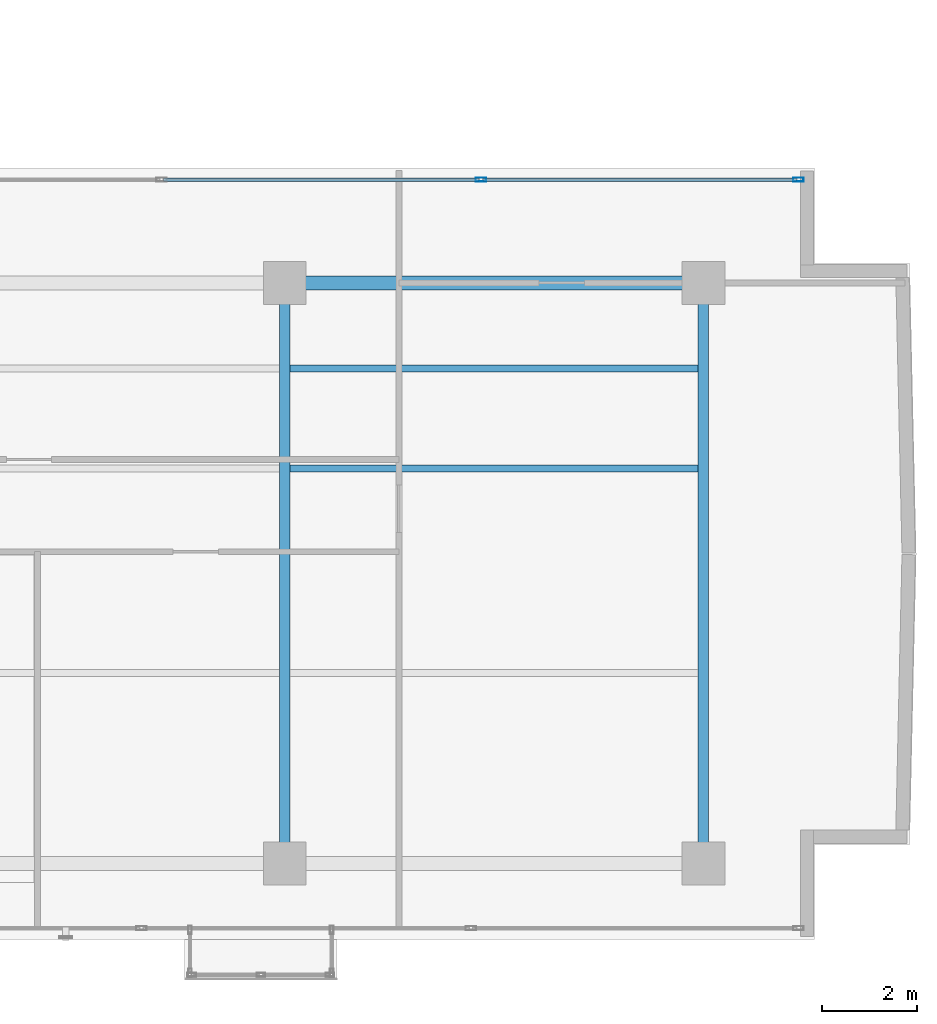
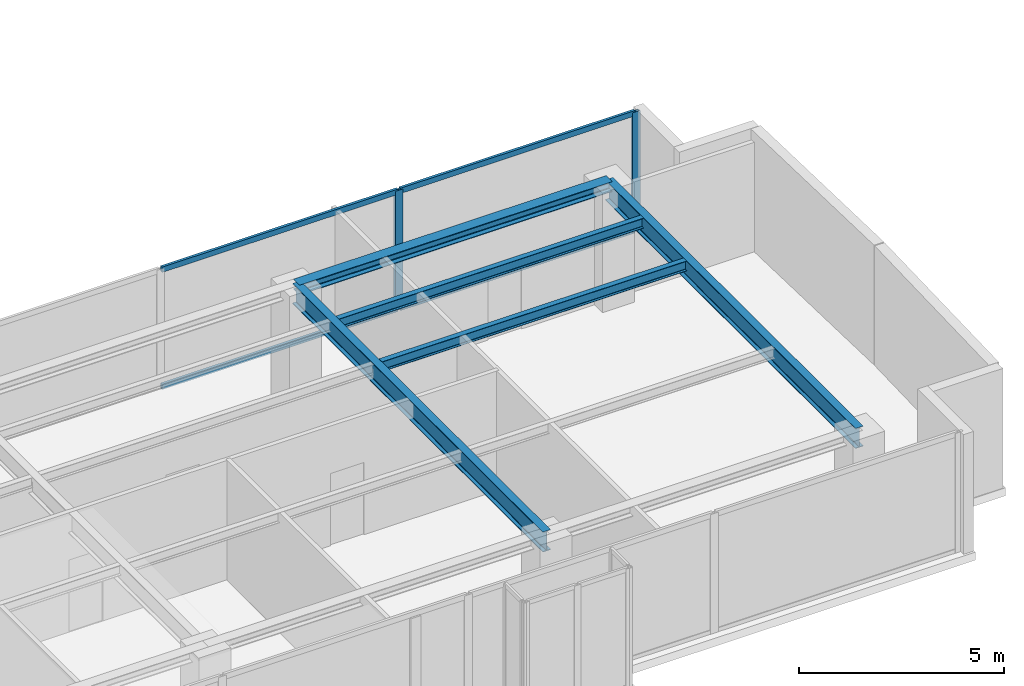
# One storey, part 12 of 24: 6 members, 5 beams, 1 element without a shape of its own.
"""IFC4 building model written with IfcOpenShell, lengths in metres."""

import ifcopenshell
import ifcopenshell.guid

model = None  # the IFC model being written
_history = None  # IfcOwnerHistory: only IFC2X3 demands one
_inside = {}  # id of a spatial element -> (the spatial element, [elements in it])
_under = {}  # id of a project, library or spatial element -> (it, [spatial elements below it])
_declared = {}  # id of a project -> (the project, [libraries it declares])
_typed = {}  # id of a type object -> (the type object, [elements of that type])
_made_of = {}  # id of a material, layer set ... -> (it, [elements and type objects made of it])


def new_model(schema):
    """Start an empty IFC model of exactly this schema.

    Asked for "IFC4X3", IfcOpenShell would pick the latest addendum, in which some entities
    have other attributes; the version numbers below select the first issue.
    IFC2X3 requires an IfcOwnerHistory on every rooted entity: one is made here for all.
    """
    global model, _history
    if schema == "IFC4X3":
        model = ifcopenshell.file(schema_version=(4, 3, 0, 0))
    else:
        model = ifcopenshell.file(schema=schema)
    _inside.clear()
    _under.clear()
    _declared.clear()
    _typed.clear()
    _made_of.clear()
    _history = None
    if model.schema == "IFC2X3":
        org = make("IfcOrganization", Name="unknown")
        user = make(
            "IfcPersonAndOrganization",
            ThePerson=make("IfcPerson", FamilyName="unknown"),
            TheOrganization=org,
        )
        app = make(
            "IfcApplication",
            ApplicationDeveloper=org,
            Version="unknown",
            ApplicationFullName="unknown",
            ApplicationIdentifier="unknown",
        )
        _history = make(
            "IfcOwnerHistory",
            OwningUser=user,
            OwningApplication=app,
            ChangeAction="ADDED",
            CreationDate=0,
        )
    return model


def make(cls, **values):
    """One entity of the class cls with the attributes given. An attribute that is None is left unset."""
    return model.create_entity(
        cls, **{name: value for name, value in values.items() if value is not None}
    )


def rooted(cls, **values):
    """An entity with a GlobalId (a new one), such as an element, a storey or a relation."""
    return make(cls, GlobalId=ifcopenshell.guid.new(), OwnerHistory=_history, **values)


def si_unit(unit_type, name, prefix=None):
    """IfcSIUnit, for example si_unit("LENGTHUNIT", "METRE", prefix="MILLI")."""
    return make("IfcSIUnit", UnitType=unit_type, Prefix=prefix, Name=name)


def assignment(units):
    """IfcUnitAssignment: the units of a project."""
    return None if units is None else make("IfcUnitAssignment", Units=units)


def point(xyz):
    """IfcCartesianPoint."""
    return None if xyz is None else make("IfcCartesianPoint", Coordinates=xyz)


def direction(xyz):
    """IfcDirection."""
    return None if xyz is None else make("IfcDirection", DirectionRatios=xyz)


def frame(location, z_axis=None, x_axis=None):
    """IfcAxis2Placement3D, a coordinate frame: its origin and axes. An axis left out is left unset."""
    return make(
        "IfcAxis2Placement3D",
        Location=point(location),
        Axis=direction(z_axis),
        RefDirection=direction(x_axis),
    )


def frame_2d(location, x_axis=None):
    """IfcAxis2Placement2D, a coordinate frame in the plane: its origin and x axis."""
    return make(
        "IfcAxis2Placement2D", Location=point(location), RefDirection=direction(x_axis)
    )


def origin():
    """The frame at (0, 0, 0) with its axes left unset."""
    return frame((0.0, 0.0, 0.0))


def origin_with_axes():
    """The frame at (0, 0, 0) with the z axis (0, 0, 1) and the x axis (1, 0, 0) written out."""
    return frame((0.0, 0.0, 0.0), z_axis=(0.0, 0.0, 1.0), x_axis=(1.0, 0.0, 0.0))


def origin_2d():
    """The frame at (0, 0) in the plane with its x axis left unset."""
    return frame_2d((0.0, 0.0))


def place(relative_to, where):
    """IfcLocalPlacement: puts the frame where relative to a parent placement (None: the world)."""
    return make(
        "IfcLocalPlacement", PlacementRelTo=relative_to, RelativePlacement=where
    )


def context(
    kind, dimensions, precision=None, world=None, true_north=None, identifier=None
):
    """IfcGeometricRepresentationContext, for example the 3D "Model" context."""
    return make(
        "IfcGeometricRepresentationContext",
        ContextIdentifier=identifier,
        ContextType=kind,
        CoordinateSpaceDimension=dimensions,
        Precision=precision,
        WorldCoordinateSystem=world,
        TrueNorth=true_north,
    )


def subcontext(parent, identifier, kind, view, scale=None):
    """IfcGeometricRepresentationSubContext, for example "Body" below "Model"."""
    return make(
        "IfcGeometricRepresentationSubContext",
        ContextIdentifier=identifier,
        ContextType=kind,
        ParentContext=parent,
        TargetScale=scale,
        TargetView=view,
    )


def project(units=None, contexts=None):
    """IfcProject with its units and contexts."""
    return rooted(
        "IfcProject",
        Name="project",
        RepresentationContexts=contexts,
        UnitsInContext=assignment(units),
    )


def spatial(cls, under=None, at=None, **own):
    """A site, building, storey or space (cls), placed at a placement, below another one or the project."""
    s = rooted(cls, ObjectPlacement=at, **own)
    if under is not None:
        _under.setdefault(under.id(), (under, []))[1].append(s)
    return s


def profile(cls, at=None, kind="AREA", **sizes):
    """A parametric profile (cls). Its sizes go by their IFC names, for example OverallWidth=200.0."""
    return make(cls, ProfileType=kind, Position=at, **sizes)


def hollow_rectangle(**sizes):
    """IfcRectangleHollowProfileDef."""
    return profile("IfcRectangleHollowProfileDef", **sizes)


def i_section(**sizes):
    """IfcIShapeProfileDef."""
    return profile("IfcIShapeProfileDef", **sizes)


def extrude(swept, where, along, depth):
    """IfcExtrudedAreaSolid: the profile swept, set in the frame where, extruded along a direction by depth."""
    return make(
        "IfcExtrudedAreaSolid",
        SweptArea=swept,
        Position=where,
        ExtrudedDirection=direction(along),
        Depth=depth,
    )


def shape(context_of_items, identifier, shape_type, items):
    """IfcShapeRepresentation: the items that make up one representation, for example the "Body"."""
    return make(
        "IfcShapeRepresentation",
        ContextOfItems=context_of_items,
        RepresentationIdentifier=identifier,
        RepresentationType=shape_type,
        Items=items,
    )


def source(mapping_origin, context_of_items, identifier, shape_type, items):
    """IfcRepresentationMap: a shape defined once, which mapped items show again and again."""
    return make(
        "IfcRepresentationMap",
        MappingOrigin=mapping_origin,
        MappedRepresentation=shape(context_of_items, identifier, shape_type, items),
    )


def transform(
    local_origin,
    x_axis=None,
    y_axis=None,
    z_axis=None,
    scale=None,
    scale2=None,
    scale3=None,
    uniform=True,
):
    """IfcCartesianTransformationOperator3D, or its non-uniform kind. x_axis, y_axis, z_axis: its Axis1, 2, 3."""
    if uniform:
        return make(
            "IfcCartesianTransformationOperator3D",
            Axis1=direction(x_axis),
            Axis2=direction(y_axis),
            LocalOrigin=point(local_origin),
            Scale=scale,
            Axis3=direction(z_axis),
        )
    return make(
        "IfcCartesianTransformationOperator3DnonUniform",
        Axis1=direction(x_axis),
        Axis2=direction(y_axis),
        LocalOrigin=point(local_origin),
        Scale=scale,
        Axis3=direction(z_axis),
        Scale2=scale2,
        Scale3=scale3,
    )


def mapped(mapping_source, mapping_target):
    """IfcMappedItem: shows the shape of a source again, moved by a transform."""
    return make(
        "IfcMappedItem", MappingSource=mapping_source, MappingTarget=mapping_target
    )


def material(Name=None, Category=None):
    """IfcMaterial."""
    return make("IfcMaterial", Name=Name, Category=Category)


def layer(
    of_material, thickness, ventilated=None, Name=None, Category=None, Priority=None
):
    """IfcMaterialLayer: one layer of a wall or slab, of a material (None: an air gap)."""
    return make(
        "IfcMaterialLayer",
        Material=of_material,
        LayerThickness=thickness,
        IsVentilated=ventilated,
        Name=Name,
        Category=Category,
        Priority=Priority,
    )


def layer_set(layers, Name=None):
    """IfcMaterialLayerSet."""
    return make("IfcMaterialLayerSet", MaterialLayers=layers, LayerSetName=Name)


def material_profile(
    of_material, cross_section, Name=None, Category=None, Priority=None
):
    """IfcMaterialProfile: a cross section and its material."""
    return make(
        "IfcMaterialProfile",
        Name=Name,
        Material=of_material,
        Profile=cross_section,
        Priority=Priority,
        Category=Category,
    )


def profile_set(profiles, Name=None, composite=None):
    """IfcMaterialProfileSet."""
    return make(
        "IfcMaterialProfileSet",
        Name=Name,
        MaterialProfiles=profiles,
        CompositeProfile=composite,
    )


def made_of(thing, what):
    """Note that an element or type object is made of a material, layer set ...; save() writes the relation."""
    if what is not None:
        _made_of.setdefault(what.id(), (what, []))[1].append(thing)
    return thing


def type_object(cls, material=None, **own):
    """A type object (cls), such as IfcWallType, which elements share."""
    return made_of(rooted(cls, **own), material)


def element(
    cls,
    number,
    at=None,
    inside=None,
    cuts=None,
    type_object=None,
    material=None,
    context=None,
    identifier="Body",
    shape_type=None,
    held_by="IfcProductDefinitionShape",
    body=None,
    shapes=None,
    **own,
):
    """One element of the class cls, such as IfcWall. Its Tag is "e" and its number.

    at: its placement. inside: the storey or other place that contains it. cuts: it is an
    opening in that element (IfcRelVoidsElement). A single representation is given by context,
    identifier, shape_type and body (its items); several are given by shapes. held_by: the class
    of the entity that holds the representations. save() writes the other relations.
    """
    e = rooted(cls, Tag="e%d" % number, ObjectPlacement=at, **own)
    if body is not None:
        shapes = [shape(context, identifier, shape_type, body)]
    if shapes is not None:
        e.Representation = make(held_by, Representations=shapes)
    if inside is not None:
        _inside.setdefault(inside.id(), (inside, []))[1].append(e)
    if cuts is not None:
        rooted(
            "IfcRelVoidsElement", RelatingBuildingElement=cuts, RelatedOpeningElement=e
        )
    if type_object is not None:
        _typed.setdefault(type_object.id(), (type_object, []))[1].append(e)
    return made_of(e, material)


def aggregate(whole, parts):
    """IfcRelAggregates: a whole, such as a stair, and the parts it consists of."""
    return rooted("IfcRelAggregates", RelatingObject=whole, RelatedObjects=parts)


def save(model, path):
    """Write the relations noted so far, then the file.

    IfcRelAggregates (storeys below a building ...), IfcRelContainedInSpatialStructure (elements
    in a storey), IfcRelDefinesByType, IfcRelAssociatesMaterial and IfcRelDeclares: one each for
    every whole, place, type object, material and project.
    """
    for whole, parts in _under.values():
        aggregate(whole, parts)
    for where, things in _inside.values():
        rooted(
            "IfcRelContainedInSpatialStructure",
            RelatedElements=things,
            RelatingStructure=where,
        )
    for kind, things in _typed.values():
        rooted("IfcRelDefinesByType", RelatedObjects=things, RelatingType=kind)
    for what, things in _made_of.values():
        rooted("IfcRelAssociatesMaterial", RelatedObjects=things, RelatingMaterial=what)
    for by, libraries in _declared.values():
        rooted("IfcRelDeclares", RelatingContext=by, RelatedDefinitions=libraries)
    model.write(path)


model = new_model("IFC4")

# Units and contexts
model_context = context("Model", 3, precision=1e-05, world=origin(), true_north=direction((0.0, 1.0)))
body_context = subcontext(model_context, "Body", "Model", "MODEL_VIEW")
ifc_project = project(units=[si_unit("LENGTHUNIT", "METRE"), si_unit("AREAUNIT", "SQUARE_METRE"), si_unit("VOLUMEUNIT", "CUBIC_METRE"), si_unit("PLANEANGLEUNIT", "RADIAN"), si_unit("MASSUNIT", "GRAM", prefix="KILO")], contexts=[model_context])

# Site, building, storey
site_placement = place(None, origin())
site = spatial("IfcSite", under=ifc_project, at=site_placement, CompositionType="ELEMENT")
building_placement = place(site_placement, origin())
building = spatial("IfcBuilding", under=site, at=building_placement, Name="Kolvaren Waterfront Exchange", CompositionType="ELEMENT")
storey_placement = place(building_placement, frame((0.0, 0.0, 331.199951171875)))
storey = spatial("IfcBuildingStorey", under=building, at=storey_placement, Name="L85", CompositionType="ELEMENT", Elevation=331.199951171875)

# Beams
ifc_material_1 = material(Name="Steel S355", Category="steel")
ifc_material_profile_1 = material_profile(ifc_material_1, i_section(OverallWidth=0.300048828125, OverallDepth=0.300048828125, WebThickness=0.010986328125, FlangeThickness=0.01904296875, FilletRadius=0.027099609375, at=origin_2d()), Name="HEB300")
ifc_profile_set_1 = profile_set([ifc_material_profile_1], Name="Steel S355")
beam_type_1 = type_object("IfcBeamType", Name="STR-BM-HEB300", PredefinedType="SPANDREL", material=ifc_profile_set_1)
beam_placement = place(storey_placement, frame((36.800048828125, 17.39990234375, 3.41015625), z_axis=(1.0, 0.0, 0.0), x_axis=(0.0, 1.0, 0.0)))
element("IfcBeam", 1, at=beam_placement, inside=storey, type_object=beam_type_1, Name="L85 east-arm spandrel N3", PredefinedType="SPANDREL", context=body_context, shape_type="SweptSolid", body=[
    extrude(i_section(OverallWidth=0.300048828125, OverallDepth=0.300048828125, WebThickness=0.010986328125, FlangeThickness=0.01904296875, FilletRadius=0.027099609375, at=origin_2d()), origin(), (0.0, 0.0, 1.0), 8.800048828125),
])
ifc_material_profile_2 = material_profile(ifc_material_1, i_section(OverallWidth=0.14990234375, OverallDepth=0.300048828125, WebThickness=0.007080078125, FlangeThickness=0.0107421875, FilletRadius=0.014892578125, at=origin_2d()), Name="IPE300")
ifc_profile_set_2 = profile_set([ifc_material_profile_2], Name="Steel S355")
beam_type_2 = type_object("IfcBeamType", Name="STR-BM-IPE300", PredefinedType="JOIST", material=ifc_profile_set_2)
for number, where, z_axis, x_axis, name in (
    (2, (36.912109375, 13.5, 3.41015625), (1.0, 0.0, 0.0), (0.0, 1.0, 0.0), "L85 east-arm composite joist 3A"),
    (3, (36.912109375, 15.60009765625, 3.41015625), (1.0, 0.0, 0.0), (0.0, 1.0, 0.0), "L85 east-arm composite joist 3C"),
):
    element("IfcBeam", number, at=place(storey_placement, frame(where, z_axis=z_axis, x_axis=x_axis)), inside=storey, type_object=beam_type_2, Name=name, PredefinedType="JOIST", context=body_context, shape_type="SweptSolid", body=[
        extrude(i_section(OverallWidth=0.14990234375, OverallDepth=0.300048828125, WebThickness=0.007080078125, FlangeThickness=0.0107421875, FilletRadius=0.014892578125, at=origin_2d()), origin(), (0.0, 0.0, 1.0), 8.575927734375),
    ])
ifc_material_profile_3 = material_profile(ifc_material_1, i_section(OverallWidth=0.219970703125, OverallDepth=0.60009765625, WebThickness=0.011962890625, FlangeThickness=0.01904296875, FilletRadius=0.02392578125, at=origin_2d()), Name="IPE600")
ifc_profile_set_3 = profile_set([ifc_material_profile_3], Name="Steel S355")
beam_type_3 = type_object("IfcBeamType", Name="STR-BM-IPE600", PredefinedType="BEAM", material=ifc_profile_set_3)
for number, where, z_axis, x_axis, name in (
    (4, (36.800048828125, 5.199951171875, 3.260009765625), (0.0, 1.0, 0.0), (-1.0, 0.0, 0.0), "L85 east-arm transverse girder X36"),
    (5, (45.60009765625, 5.199951171875, 3.260009765625), (0.0, 1.0, 0.0), (-1.0, 0.0, 0.0), "L85 east-arm transverse girder X45"),
):
    element("IfcBeam", number, at=place(storey_placement, frame(where, z_axis=z_axis, x_axis=x_axis)), inside=storey, type_object=beam_type_3, Name=name, PredefinedType="BEAM", context=body_context, shape_type="SweptSolid", body=[
        extrude(i_section(OverallWidth=0.219970703125, OverallDepth=0.60009765625, WebThickness=0.011962890625, FlangeThickness=0.01904296875, FilletRadius=0.02392578125, at=origin_2d()), origin(), (0.0, 0.0, 1.0), 12.199951171875),
    ])

# Curtain wall, members
ifc_material_2 = material(Name="Anodised bronze aluminium 6063-T6", Category="aluminium")
ifc_layer = layer(ifc_material_2, 0.219970703125, Name="Anodised bronze aluminium 6063-T6")
ifc_layer_set = layer_set([ifc_layer], Name="Anodised bronze aluminium 6063-T6")
curtain_wall_type = type_object("IfcCurtainWallType", Name="ARC-CW-SYS1", PredefinedType="USERDEFINED", material=ifc_layer_set)
curtain_wall_placement = place(storey_placement, origin())
curtain_wall = element("IfcCurtainWall", 6, at=curtain_wall_placement, inside=storey, type_object=curtain_wall_type, Name="L85 stick curtain wall CW1 (CW-L85-EN)", ObjectType="STICK CURTAIN WALL", PredefinedType="USERDEFINED")
ifc_material_3 = material(Name="Anodised aluminium 6063-T6", Category="aluminium")
ifc_material_profile_4 = material_profile(ifc_material_3, hollow_rectangle(XDim=0.080078125, YDim=0.219970703125, WallThickness=0.0048828125, at=origin_2d()), Name="ALU-MUL-220x80x5")
ifc_profile_set_4 = profile_set([ifc_material_profile_4], Name="Anodised aluminium 6063-T6")
member_type_1 = type_object("IfcMemberType", Name="ARC-CWM-220", PredefinedType="MULLION", material=ifc_profile_set_4)
shared_shape_1 = source(origin_with_axes(), body_context, "Body", "SweptSolid", [
    extrude(hollow_rectangle(XDim=0.080078125, YDim=0.219970703125, WallThickness=0.0048828125, at=origin_2d()), origin(), (0.0, 0.0, 1.0), 3.56005859375),
])
member_1_placement = place(storey_placement, frame((40.9248046875, 19.570556640625, 0.0), z_axis=(0.0, 0.0, 1.0), x_axis=(0.0, 1.0, 0.0)))
member_1 = element("IfcMember", 7, at=member_1_placement, type_object=member_type_1, Name="CW1 mullion 3", PredefinedType="MULLION", context=body_context, shape_type="MappedRepresentation", body=[
    mapped(shared_shape_1, transform((0.0, 0.0, 0.0), x_axis=(1.0, 0.0, 0.0), y_axis=(0.0, 1.0, 0.0), z_axis=(0.0, 0.0, 1.0), scale=1.0)),
])
member_2_placement = place(storey_placement, frame((47.5966796875, 19.570556640625, 0.0), z_axis=(0.0, 0.0, 1.0), x_axis=(0.0, 1.0, 0.0)))
member_2 = element("IfcMember", 8, at=member_2_placement, type_object=member_type_1, Name="CW1 mullion 4", PredefinedType="MULLION", context=body_context, shape_type="MappedRepresentation", body=[
    mapped(shared_shape_1, transform((0.0, 0.0, 0.0), x_axis=(1.0, 0.0, 0.0), y_axis=(0.0, 1.0, 0.0), z_axis=(0.0, 0.0, 1.0), scale=1.0)),
])
ifc_material_profile_5 = material_profile(ifc_material_3, hollow_rectangle(XDim=0.074951171875, YDim=0.159912109375, WallThickness=0.00439453125, at=origin_2d()), Name="ALU-TRN-160x75x4.5")
ifc_profile_set_5 = profile_set([ifc_material_profile_5], Name="Anodised aluminium 6063-T6")
member_type_2 = type_object("IfcMemberType", Name="ARC-CWT-160", PredefinedType="USERDEFINED", material=ifc_profile_set_5)
shared_shape_2 = source(origin_with_axes(), body_context, "Body", "SweptSolid", [
    extrude(hollow_rectangle(XDim=0.074951171875, YDim=0.159912109375, WallThickness=0.00439453125, at=origin_2d()), origin(), (0.0, 0.0, 1.0), 6.632080078125),
])
member_3_placement = place(storey_placement, frame((34.252685546875, 19.570556640625, 0.03759765625), z_axis=(1.0, 0.0, 0.0), x_axis=(0.0, 1.0, 0.0)))
member_3 = element("IfcMember", 9, at=member_3_placement, type_object=member_type_2, Name="CW1 transom 2.1", ObjectType="TRANSOM", PredefinedType="USERDEFINED", context=body_context, shape_type="MappedRepresentation", body=[
    mapped(shared_shape_2, transform((0.0, 0.0, 0.0), x_axis=(1.0, 0.0, 0.0), y_axis=(0.0, 1.0, 0.0), z_axis=(0.0, 0.0, 1.0), scale=1.0)),
])
member_4_placement = place(storey_placement, frame((34.252685546875, 19.570556640625, 3.5224609375), z_axis=(1.0, 0.0, 0.0), x_axis=(0.0, 1.0, 0.0)))
member_4 = element("IfcMember", 10, at=member_4_placement, type_object=member_type_2, Name="CW1 transom 2.2", ObjectType="TRANSOM", PredefinedType="USERDEFINED", context=body_context, shape_type="MappedRepresentation", body=[
    mapped(shared_shape_2, transform((0.0, 0.0, 0.0), x_axis=(1.0, 0.0, 0.0), y_axis=(0.0, 1.0, 0.0), z_axis=(0.0, 0.0, 1.0), scale=1.0)),
])
shared_shape_3 = source(origin_with_axes(), body_context, "Body", "SweptSolid", [
    extrude(hollow_rectangle(XDim=0.074951171875, YDim=0.159912109375, WallThickness=0.00439453125, at=origin_2d()), origin(), (0.0, 0.0, 1.0), 6.59228515625),
])
member_5_placement = place(storey_placement, frame((40.964599609375, 19.570556640625, 0.03759765625), z_axis=(1.0, 0.0, 0.0), x_axis=(0.0, 1.0, 0.0)))
member_5 = element("IfcMember", 11, at=member_5_placement, type_object=member_type_2, Name="CW1 transom 3.1", ObjectType="TRANSOM", PredefinedType="USERDEFINED", context=body_context, shape_type="MappedRepresentation", body=[
    mapped(shared_shape_3, transform((0.0, 0.0, 0.0), x_axis=(1.0, 0.0, 0.0), y_axis=(0.0, 1.0, 0.0), z_axis=(0.0, 0.0, 1.0), scale=1.0)),
])
member_6_placement = place(storey_placement, frame((40.964599609375, 19.570556640625, 3.5224609375), z_axis=(1.0, 0.0, 0.0), x_axis=(0.0, 1.0, 0.0)))
member_6 = element("IfcMember", 12, at=member_6_placement, type_object=member_type_2, Name="CW1 transom 3.2", ObjectType="TRANSOM", PredefinedType="USERDEFINED", context=body_context, shape_type="MappedRepresentation", body=[
    mapped(shared_shape_3, transform((0.0, 0.0, 0.0), x_axis=(1.0, 0.0, 0.0), y_axis=(0.0, 1.0, 0.0), z_axis=(0.0, 0.0, 1.0), scale=1.0)),
])
aggregate(curtain_wall, [member_1, member_2, member_3, member_4, member_5, member_6])

save(model, "model.ifc")
